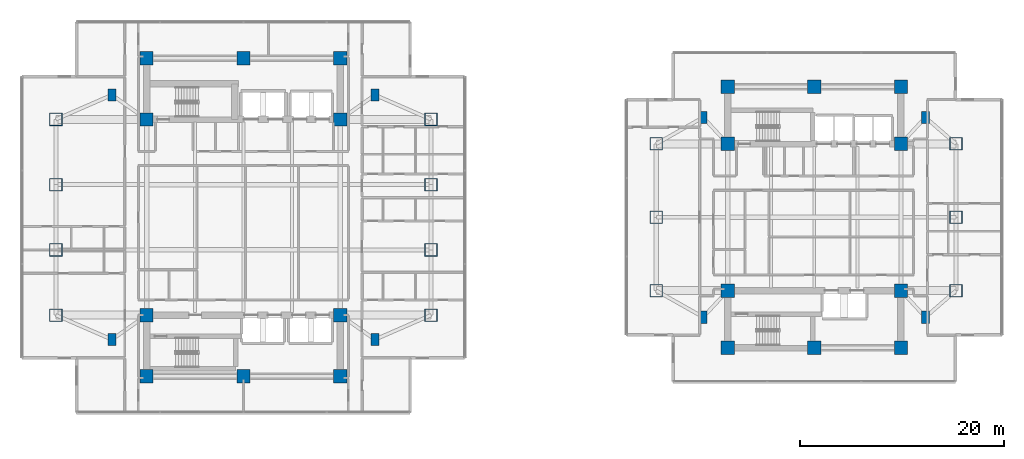
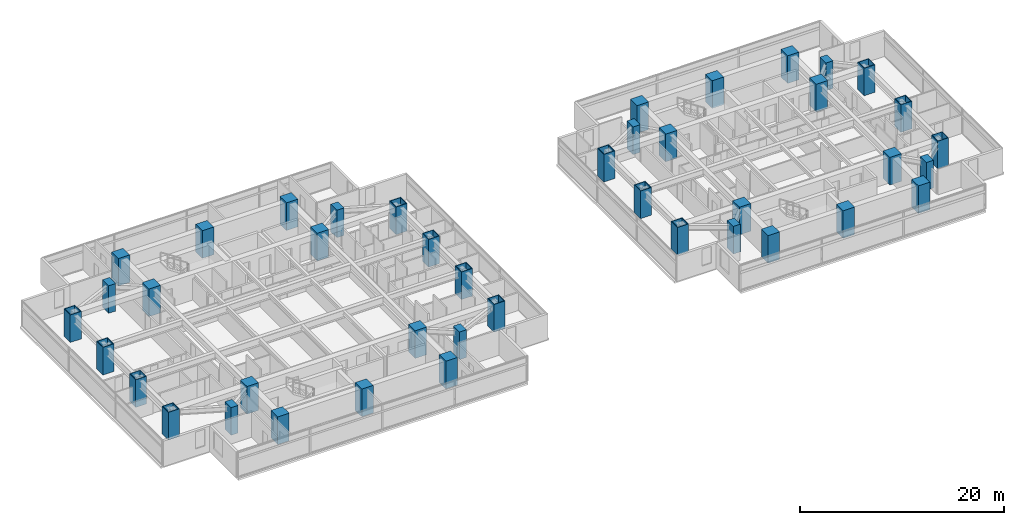
# One storey, part 1 of 24: 42 columns.
"""IFC4 building model written with IfcOpenShell, lengths in metres."""

from ifc_helpers import new_model, si_unit, direction, frame, origin, origin_2d, place, context, subcontext, project, spatial, rectangle, hollow_rectangle, extrude, material, material_profile, profile_set, type_object, element, save


model = new_model("IFC4")

# Units and contexts
model_context = context("Model", 3, precision=1e-05, world=origin(), true_north=direction((0.0, 1.0)))
body_context = subcontext(model_context, "Body", "Model", "MODEL_VIEW")
ifc_project = project(units=[si_unit("LENGTHUNIT", "METRE"), si_unit("AREAUNIT", "SQUARE_METRE"), si_unit("VOLUMEUNIT", "CUBIC_METRE"), si_unit("PLANEANGLEUNIT", "RADIAN"), si_unit("MASSUNIT", "GRAM", prefix="KILO")], contexts=[model_context])

# Site, building, storey
site_placement = place(None, origin())
site = spatial("IfcSite", under=ifc_project, at=site_placement, CompositionType="ELEMENT")
building_placement = place(site_placement, origin())
building = spatial("IfcBuilding", under=site, at=building_placement, Name="Mirazonda Arch Towers", CompositionType="ELEMENT")
storey_placement = place(building_placement, frame((0.0, 0.0, 65.300048828125)))
storey = spatial("IfcBuildingStorey", under=building, at=storey_placement, Name="L18", CompositionType="ELEMENT", Elevation=65.300048828125)

# Columns
ifc_material_1 = material(Name="Concrete C60/75", Category="concrete")
ifc_material_profile_1 = material_profile(ifc_material_1, rectangle(XDim=1.300048828125, YDim=1.300048828125, at=origin_2d()), Name="RC1300x1300")
ifc_profile_set_1 = profile_set([ifc_material_profile_1], Name="Concrete C60/75")
column_type_1 = type_object("IfcColumnType", Name="COL-INT-RC1300x1300", PredefinedType="COLUMN", material=ifc_profile_set_1)
for number, where, z_axis, x_axis, name in (
    (1, (11.0, 12.39990234375, 0.0), (0.0, 0.0, 1.0), (1.0, 0.0, 0.0), "L18 T1 Core Column 01"),
    (2, (20.5, 12.39990234375, 0.0), (0.0, 0.0, 1.0), (1.0, 0.0, 0.0), "L18 T1 Core Column 02"),
    (3, (30.0, 12.39990234375, 0.0), (0.0, 0.0, 1.0), (1.0, 0.0, 0.0), "L18 T1 Core Column 03"),
    (4, (11.0, 18.39990234375, 0.0), (0.0, 0.0, 1.0), (1.0, 0.0, 0.0), "L18 T1 Core Column 04"),
    (5, (30.0, 18.39990234375, 0.0), (0.0, 0.0, 1.0), (1.0, 0.0, 0.0), "L18 T1 Core Column 05"),
    (6, (11.0, 37.60009765625, 0.0), (0.0, 0.0, 1.0), (1.0, 0.0, 0.0), "L18 T1 Core Column 06"),
    (7, (30.0, 37.60009765625, 0.0), (0.0, 0.0, 1.0), (1.0, 0.0, 0.0), "L18 T1 Core Column 07"),
    (8, (11.0, 43.60009765625, 0.0), (0.0, 0.0, 1.0), (1.0, 0.0, 0.0), "L18 T1 Core Column 08"),
    (9, (20.5, 43.60009765625, 0.0), (0.0, 0.0, 1.0), (1.0, 0.0, 0.0), "L18 T1 Core Column 09"),
    (10, (30.0, 43.60009765625, 0.0), (0.0, 0.0, 1.0), (1.0, 0.0, 0.0), "L18 T1 Core Column 10"),
    (11, (68.0, 15.199951171875, 0.0), (0.0, 0.0, 1.0), (1.0, 0.0, 0.0), "L18 T2 Core Column 01"),
    (12, (76.5, 15.199951171875, 0.0), (0.0, 0.0, 1.0), (1.0, 0.0, 0.0), "L18 T2 Core Column 02"),
    (13, (85.0, 15.199951171875, 0.0), (0.0, 0.0, 1.0), (1.0, 0.0, 0.0), "L18 T2 Core Column 03"),
    (14, (68.0, 20.800048828125, 0.0), (0.0, 0.0, 1.0), (1.0, 0.0, 0.0), "L18 T2 Core Column 04"),
    (15, (85.0, 20.800048828125, 0.0), (0.0, 0.0, 1.0), (1.0, 0.0, 0.0), "L18 T2 Core Column 05"),
    (16, (68.0, 35.199951171875, 0.0), (0.0, 0.0, 1.0), (1.0, 0.0, 0.0), "L18 T2 Core Column 06"),
    (17, (85.0, 35.199951171875, 0.0), (0.0, 0.0, 1.0), (1.0, 0.0, 0.0), "L18 T2 Core Column 07"),
    (18, (68.0, 40.800048828125, 0.0), (0.0, 0.0, 1.0), (1.0, 0.0, 0.0), "L18 T2 Core Column 08"),
    (19, (76.5, 40.800048828125, 0.0), (0.0, 0.0, 1.0), (1.0, 0.0, 0.0), "L18 T2 Core Column 09"),
    (20, (85.0, 40.800048828125, 0.0), (0.0, 0.0, 1.0), (1.0, 0.0, 0.0), "L18 T2 Core Column 10"),
):
    element("IfcColumn", number, at=place(storey_placement, frame(where, z_axis=z_axis, x_axis=x_axis)), inside=storey, type_object=column_type_1, Name=name, PredefinedType="COLUMN", context=body_context, shape_type="SweptSolid", body=[
        extrude(rectangle(XDim=1.300048828125, YDim=1.300048828125, at=origin_2d()), origin(), (0.0, 0.0, 1.0), 3.300048828125),
    ])
ifc_material_2 = material(Name="Steel ASTM A572 Grade 50", Category="steel")
ifc_material_profile_2 = material_profile(ifc_material_2, hollow_rectangle(XDim=1.25, YDim=1.25, WallThickness=0.070068359375, at=origin_2d()), Name="BOX1250x1250x70")
ifc_profile_set_2 = profile_set([ifc_material_profile_2], Name="Steel ASTM A572 Grade 50")
column_type_2 = type_object("IfcColumnType", Name="MCOL-EXT-BOX1250x1250x70", PredefinedType="COLUMN", material=ifc_profile_set_2)
for number, where, z_axis, x_axis, name in (
    (21, (2.10009765625, 18.39990234375, 0.0), (0.0, 0.0, 1.0), (1.0, 0.0, 0.0), "L18 T1 Composite Mega-Column 01"),
    (22, (2.10009765625, 24.800048828125, 0.0), (0.0, 0.0, 1.0), (1.0, 0.0, 0.0), "L18 T1 Composite Mega-Column 02"),
    (23, (2.10009765625, 31.199951171875, 0.0), (0.0, 0.0, 1.0), (1.0, 0.0, 0.0), "L18 T1 Composite Mega-Column 03"),
    (24, (2.10009765625, 37.60009765625, 0.0), (0.0, 0.0, 1.0), (1.0, 0.0, 0.0), "L18 T1 Composite Mega-Column 04"),
    (25, (38.89990234375, 18.39990234375, 0.0), (0.0, 0.0, 1.0), (1.0, 0.0, 0.0), "L18 T1 Composite Mega-Column 05"),
    (26, (38.89990234375, 24.800048828125, 0.0), (0.0, 0.0, 1.0), (1.0, 0.0, 0.0), "L18 T1 Composite Mega-Column 06"),
    (27, (38.89990234375, 31.199951171875, 0.0), (0.0, 0.0, 1.0), (1.0, 0.0, 0.0), "L18 T1 Composite Mega-Column 07"),
    (28, (38.89990234375, 37.60009765625, 0.0), (0.0, 0.0, 1.0), (1.0, 0.0, 0.0), "L18 T1 Composite Mega-Column 08"),
    (29, (61.0, 20.800048828125, 0.0), (0.0, 0.0, 1.0), (1.0, 0.0, 0.0), "L18 T2 Composite Mega-Column 01"),
    (30, (61.0, 28.0, 0.0), (0.0, 0.0, 1.0), (1.0, 0.0, 0.0), "L18 T2 Composite Mega-Column 02"),
    (31, (61.0, 35.199951171875, 0.0), (0.0, 0.0, 1.0), (1.0, 0.0, 0.0), "L18 T2 Composite Mega-Column 03"),
    (32, (90.39990234375, 20.800048828125, 0.0), (0.0, 0.0, 1.0), (1.0, 0.0, 0.0), "L18 T2 Composite Mega-Column 04"),
    (33, (90.39990234375, 28.0, 0.0), (0.0, 0.0, 1.0), (1.0, 0.0, 0.0), "L18 T2 Composite Mega-Column 05"),
    (34, (90.39990234375, 35.199951171875, 0.0), (0.0, 0.0, 1.0), (1.0, 0.0, 0.0), "L18 T2 Composite Mega-Column 06"),
):
    element("IfcColumn", number, at=place(storey_placement, frame(where, z_axis=z_axis, x_axis=x_axis)), inside=storey, type_object=column_type_2, Name=name, PredefinedType="COLUMN", context=body_context, shape_type="SweptSolid", body=[
        extrude(hollow_rectangle(XDim=1.25, YDim=1.25, WallThickness=0.070068359375, at=origin_2d()), origin(), (0.0, 0.0, 1.0), 3.300048828125),
    ])
ifc_material_profile_3 = material_profile(ifc_material_1, rectangle(XDim=0.800048828125, YDim=1.199951171875, at=origin_2d()), Name="RC1200x800")
ifc_profile_set_3 = profile_set([ifc_material_profile_3], Name="Concrete C60/75")
column_type_3 = type_object("IfcColumnType", Name="PIL-EXT-RC1200x800", PredefinedType="PILASTER", material=ifc_profile_set_3)
for number, where, z_axis, x_axis, name in (
    (35, (7.60009765625, 16.0, 0.0), (0.0, 0.0, 1.0), (1.0, 0.0, 0.0), "L18 T1 Corner Pilaster 01"),
    (36, (33.39990234375, 16.0, 0.0), (0.0, 0.0, 1.0), (1.0, 0.0, 0.0), "L18 T1 Corner Pilaster 02"),
    (37, (7.60009765625, 40.0, 0.0), (0.0, 0.0, 1.0), (1.0, 0.0, 0.0), "L18 T1 Corner Pilaster 03"),
    (38, (33.39990234375, 40.0, 0.0), (0.0, 0.0, 1.0), (1.0, 0.0, 0.0), "L18 T1 Corner Pilaster 04"),
    (39, (65.60009765625, 18.199951171875, 0.0), (0.0, 0.0, 1.0), (1.0, 0.0, 0.0), "L18 T2 Corner Pilaster 01"),
    (40, (87.39990234375, 18.199951171875, 0.0), (0.0, 0.0, 1.0), (1.0, 0.0, 0.0), "L18 T2 Corner Pilaster 02"),
    (41, (65.60009765625, 37.800048828125, 0.0), (0.0, 0.0, 1.0), (1.0, 0.0, 0.0), "L18 T2 Corner Pilaster 03"),
    (42, (87.39990234375, 37.800048828125, 0.0), (0.0, 0.0, 1.0), (1.0, 0.0, 0.0), "L18 T2 Corner Pilaster 04"),
):
    element("IfcColumn", number, at=place(storey_placement, frame(where, z_axis=z_axis, x_axis=x_axis)), inside=storey, type_object=column_type_3, Name=name, PredefinedType="PILASTER", context=body_context, shape_type="SweptSolid", body=[
        extrude(rectangle(XDim=0.800048828125, YDim=1.199951171875, at=origin_2d()), origin(), (0.0, 0.0, 1.0), 3.300048828125),
    ])

save(model, "model.ifc")
